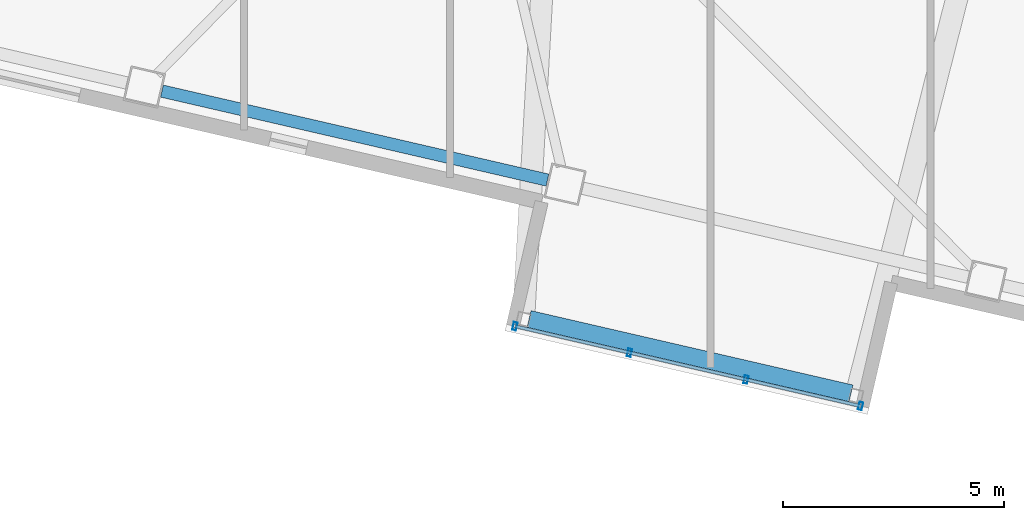
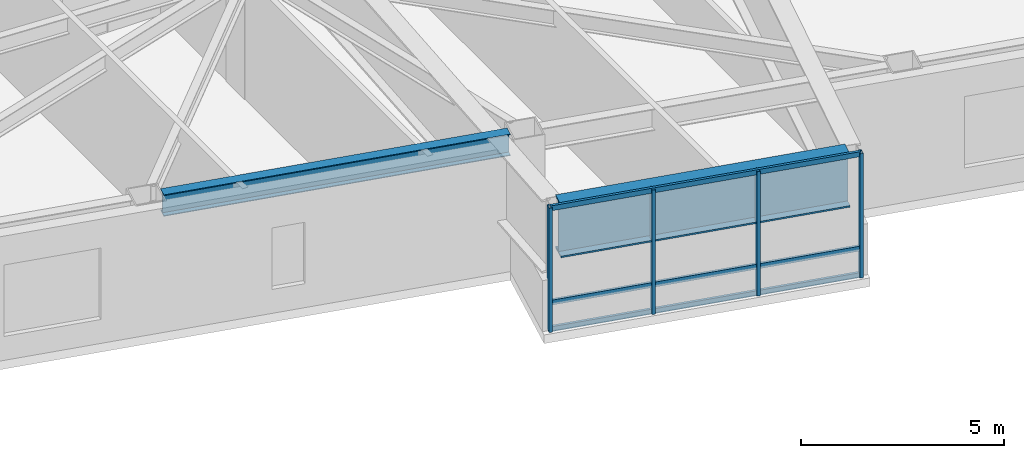
# One storey, part 3 of 21: 7 members, 2 beams, 1 element without a shape of its own.
"""IFC4 building model written with IfcOpenShell, lengths in metres."""

from ifc_helpers import new_model, si_unit, direction, frame, origin, origin_2d, place, context, subcontext, project, spatial, hollow_rectangle, i_section, extrude, material, layer, layer_set, material_profile, profile_set, type_object, element, aggregate, save


model = new_model("IFC4")

# Units and contexts
model_context = context("Model", 3, precision=1e-05, world=origin(), true_north=direction((0.0, 1.0)))
body_context = subcontext(model_context, "Body", "Model", "MODEL_VIEW")
ifc_project = project(units=[si_unit("LENGTHUNIT", "METRE"), si_unit("AREAUNIT", "SQUARE_METRE"), si_unit("VOLUMEUNIT", "CUBIC_METRE"), si_unit("PLANEANGLEUNIT", "RADIAN"), si_unit("MASSUNIT", "GRAM", prefix="KILO")], contexts=[model_context])

# Site, building, storey
site_placement = place(None, origin())
site = spatial("IfcSite", under=ifc_project, at=site_placement, CompositionType="ELEMENT")
building_placement = place(site_placement, origin())
building = spatial("IfcBuilding", under=site, at=building_placement, Name="Tavrogorsk Clinical Tower", CompositionType="ELEMENT")
storey_placement = place(building_placement, frame((0.0, 0.0, 43.39990234375)))
storey = spatial("IfcBuildingStorey", under=building, at=storey_placement, Name="L08", CompositionType="ELEMENT", Elevation=43.39990234375)

# Curtain wall, members
ifc_material_1 = material(Name="Anodised aluminium and triple IGU glazing", Category="aluminium")
ifc_layer = layer(ifc_material_1, 0.179931640625)
ifc_layer_set = layer_set([ifc_layer], Name="Anodised aluminium and triple IGU glazing")
curtain_wall_type = type_object("IfcCurtainWallType", Name="CW4_DayroomBox", PredefinedType="NOTDEFINED", material=ifc_layer_set)
curtain_wall_placement = place(storey_placement, origin())
curtain_wall = element("IfcCurtainWall", 1, at=curtain_wall_placement, inside=storey, type_object=curtain_wall_type, Name="L08 Curtain Wall CW-DRB-01-L08", PredefinedType="NOTDEFINED")
ifc_material_2 = material(Name="Anodised aluminium alloy AW-6060", Category="aluminium")
ifc_material_profile_1 = material_profile(ifc_material_2, hollow_rectangle(XDim=0.090087890625, YDim=0.179931640625, WallThickness=0.00634765625, at=origin_2d()), Name="RHS-180x90x6.3")
ifc_profile_set_1 = profile_set([ifc_material_profile_1], Name="Anodised aluminium alloy AW-6060")
member_type_1 = type_object("IfcMemberType", Name="CwMullion_180x90", PredefinedType="MULLION", material=ifc_profile_set_1)
member_1_placement = place(storey_placement, frame((-23.386474609375, -25.999267578125, 0.0), z_axis=(0.0, 0.0, 1.0), x_axis=(0.974370049065, -0.224951122436, 0.0)))
member_1 = element("IfcMember", 2, at=member_1_placement, type_object=member_type_1, Name="CW-DRB-01-L08 Mullion 1", PredefinedType="MULLION", context=body_context, shape_type="SweptSolid", body=[
    extrude(hollow_rectangle(XDim=0.090087890625, YDim=0.179931640625, WallThickness=0.00634765625, at=origin_2d()), origin(), (0.0, 0.0, 1.0), 3.739990234375),
])
member_2_placement = place(storey_placement, frame((-20.799560546875, -26.596435546875, 0.0), z_axis=(0.0, 0.0, 1.0), x_axis=(0.974370049065, -0.224951122436, 0.0)))
member_2 = element("IfcMember", 3, at=member_2_placement, type_object=member_type_1, Name="CW-DRB-01-L08 Mullion 2", PredefinedType="MULLION", context=body_context, shape_type="SweptSolid", body=[
    extrude(hollow_rectangle(XDim=0.090087890625, YDim=0.179931640625, WallThickness=0.00634765625, at=origin_2d()), origin(), (0.0, 0.0, 1.0), 3.739990234375),
])
member_3_placement = place(storey_placement, frame((-18.168701171875, -27.203857421875, 0.0), z_axis=(0.0, 0.0, 1.0), x_axis=(0.974370049065, -0.224951122436, 0.0)))
member_3 = element("IfcMember", 4, at=member_3_placement, type_object=member_type_1, Name="CW-DRB-01-L08 Mullion 3", PredefinedType="MULLION", context=body_context, shape_type="SweptSolid", body=[
    extrude(hollow_rectangle(XDim=0.090087890625, YDim=0.179931640625, WallThickness=0.00634765625, at=origin_2d()), origin(), (0.0, 0.0, 1.0), 3.739990234375),
])
member_4_placement = place(storey_placement, frame((-15.581787109375, -27.801025390625, 0.0), z_axis=(0.0, 0.0, 1.0), x_axis=(0.974370049065, -0.224951122436, 0.0)))
member_4 = element("IfcMember", 5, at=member_4_placement, type_object=member_type_1, Name="CW-DRB-01-L08 Mullion 4", PredefinedType="MULLION", context=body_context, shape_type="SweptSolid", body=[
    extrude(hollow_rectangle(XDim=0.090087890625, YDim=0.179931640625, WallThickness=0.00634765625, at=origin_2d()), origin(), (0.0, 0.0, 1.0), 3.739990234375),
])
ifc_material_3 = material(Name="Anodised aluminium alloy AW-6060", Category="aluminium")
ifc_material_profile_2 = material_profile(ifc_material_3, hollow_rectangle(XDim=0.074951171875, YDim=0.14990234375, WallThickness=0.0048828125, at=origin_2d()), Name="RHS-150x75x5")
ifc_profile_set_2 = profile_set([ifc_material_profile_2], Name="Anodised aluminium alloy AW-6060")
member_type_2 = type_object("IfcMemberType", Name="CwTransom_150x75", PredefinedType="USERDEFINED", material=ifc_profile_set_2)
member_5_placement = place(storey_placement, frame((-23.386474609375, -25.999267578125, 0.050048828125), z_axis=(0.974372699143, -0.224939643383, 0.0), x_axis=(0.224939643383, 0.974372699143, 0.0)))
member_5 = element("IfcMember", 6, at=member_5_placement, type_object=member_type_2, Name="CW-DRB-01-L08 Transom 1", ObjectType="TRANSOM", PredefinedType="USERDEFINED", context=body_context, shape_type="SweptSolid", body=[
    extrude(hollow_rectangle(XDim=0.074951171875, YDim=0.14990234375, WallThickness=0.0048828125, at=origin_2d()), origin(), (0.0, 0.0, 1.0), 8.010009765625),
])
member_6_placement = place(storey_placement, frame((-23.386474609375, -25.999267578125, 0.85009765625), z_axis=(0.974372699143, -0.224939643383, 0.0), x_axis=(0.224939643383, 0.974372699143, 0.0)))
member_6 = element("IfcMember", 7, at=member_6_placement, type_object=member_type_2, Name="CW-DRB-01-L08 Transom 2", ObjectType="TRANSOM", PredefinedType="USERDEFINED", context=body_context, shape_type="SweptSolid", body=[
    extrude(hollow_rectangle(XDim=0.074951171875, YDim=0.14990234375, WallThickness=0.0048828125, at=origin_2d()), origin(), (0.0, 0.0, 1.0), 8.010009765625),
])
member_7_placement = place(storey_placement, frame((-23.386474609375, -25.999267578125, 3.690185546875), z_axis=(0.974372699143, -0.224939643383, 0.0), x_axis=(0.224939643383, 0.974372699143, 0.0)))
member_7 = element("IfcMember", 8, at=member_7_placement, type_object=member_type_2, Name="CW-DRB-01-L08 Transom 3", ObjectType="TRANSOM", PredefinedType="USERDEFINED", context=body_context, shape_type="SweptSolid", body=[
    extrude(hollow_rectangle(XDim=0.074951171875, YDim=0.14990234375, WallThickness=0.0048828125, at=origin_2d()), origin(), (0.0, 0.0, 1.0), 8.010009765625),
])
aggregate(curtain_wall, [member_1, member_2, member_3, member_4, member_5, member_6, member_7])

# Beams
ifc_material_4 = material(Name="Structural steel S390", Category="steel")
ifc_material_profile_3 = material_profile(ifc_material_4, i_section(OverallWidth=0.280029296875, OverallDepth=0.64990234375, WebThickness=0.01611328125, FlangeThickness=0.02490234375, at=origin_2d()), Name="B-650x280x16x25")
ifc_profile_set_3 = profile_set([ifc_material_profile_3], Name="Structural steel S390")
beam_type_1 = type_object("IfcBeamType", Name="SpandrelBeam_B650", PredefinedType="SPANDREL", material=ifc_profile_set_3)
beam_1_placement = place(storey_placement, frame((-31.35498046875, -20.690673828125, 3.4150390625), z_axis=(0.974366775889, -0.224965299645, 0.0), x_axis=(0.224965299645, 0.974366775889, 0.0)))
element("IfcBeam", 9, at=beam_1_placement, inside=storey, type_object=beam_type_1, Name="L08 Perimeter Spandrel S2-S3", PredefinedType="SPANDREL", context=body_context, shape_type="SweptSolid", body=[
    extrude(i_section(OverallWidth=0.280029296875, OverallDepth=0.64990234375, WebThickness=0.01611328125, FlangeThickness=0.02490234375, at=origin_2d()), origin(), (0.0, 0.0, 1.0), 8.9326171875),
])
ifc_material_5 = material(Name="Structural steel S440", Category="steel")
ifc_material_profile_4 = material_profile(ifc_material_5, i_section(OverallWidth=0.449951171875, OverallDepth=1.60009765625, WebThickness=0.031982421875, FlangeThickness=0.050048828125, at=origin_2d()), Name="DK-1600x450x32x50")
ifc_profile_set_4 = profile_set([ifc_material_profile_4], Name="Structural steel S440")
beam_type_2 = type_object("IfcBeamType", Name="TransferGirder_DK1600", PredefinedType="USERDEFINED", material=ifc_profile_set_4)
beam_2_placement = place(storey_placement, frame((-23.073486328125, -25.8662109375, 2.940185546875), z_axis=(0.974367472721, -0.224962281513, 0.0), x_axis=(0.224962281513, 0.974367472721, 0.0)))
element("IfcBeam", 10, at=beam_2_placement, inside=storey, type_object=beam_type_2, Name="L08 Day-Room Front Edge Beam DRB-01", ObjectType="GIRDER", PredefinedType="USERDEFINED", context=body_context, shape_type="SweptSolid", body=[
    extrude(i_section(OverallWidth=0.449951171875, OverallDepth=1.60009765625, WebThickness=0.031982421875, FlangeThickness=0.050048828125, at=origin_2d()), origin(), (0.0, 0.0, 1.0), 7.4599609375),
])

save(model, "model.ifc")
